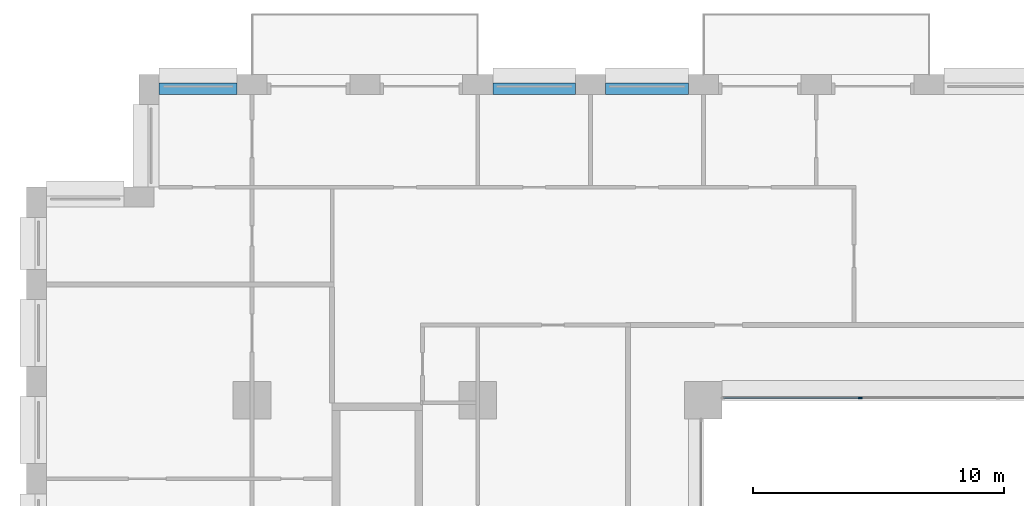
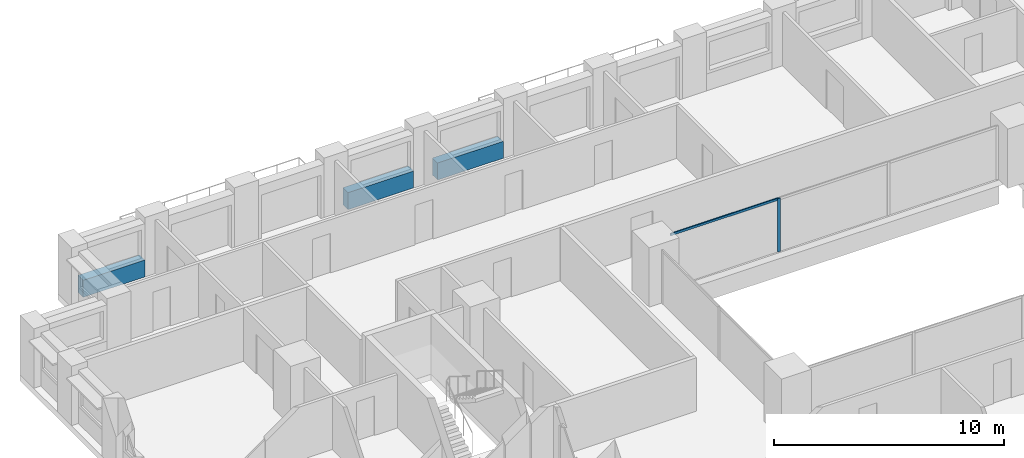
# One storey, part 6 of 20: 3 beams, 2 members, 1 element without a shape of its own.
"""IFC4 building model written with IfcOpenShell, lengths in metres."""

from ifc_helpers import new_model, si_unit, direction, frame, origin, origin_2d, place, context, subcontext, project, spatial, rectangle, extrude, material, layer, layer_set, material_profile, profile_set, type_object, element, aggregate, save


model = new_model("IFC4")

# Units and contexts
model_context = context("Model", 3, precision=1e-05, world=origin(), true_north=direction((0.0, 1.0)))
body_context = subcontext(model_context, "Body", "Model", "MODEL_VIEW")
ifc_project = project(units=[si_unit("LENGTHUNIT", "METRE"), si_unit("AREAUNIT", "SQUARE_METRE"), si_unit("VOLUMEUNIT", "CUBIC_METRE"), si_unit("PLANEANGLEUNIT", "RADIAN"), si_unit("MASSUNIT", "GRAM", prefix="KILO")], contexts=[model_context])

# Site, building, storey
site_placement = place(None, origin())
site = spatial("IfcSite", under=ifc_project, at=site_placement, CompositionType="ELEMENT")
building_placement = place(site_placement, origin())
building = spatial("IfcBuilding", under=site, at=building_placement, Name="Brigalow Station Residences", CompositionType="ELEMENT")
storey_placement = place(building_placement, frame((0.0, 0.0, 54.14990234375)))
storey = spatial("IfcBuildingStorey", under=building, at=storey_placement, Name="L15", CompositionType="ELEMENT", Elevation=54.14990234375)

# Curtain wall, members
ifc_material_1 = material(Name="Aluminium", Category="aluminium")
ifc_layer = layer(ifc_material_1, 0.14990234375)
ifc_layer_set = layer_set([ifc_layer], Name="ATRIUM FIRE-RATED GLAZING CURTAIN WALL")
curtain_wall_type = type_object("IfcCurtainWallType", Name="ATRIUM FIRE-RATED GLAZING CURTAIN WALL", PredefinedType="NOTDEFINED", material=ifc_layer_set)
curtain_wall_placement = place(storey_placement, origin())
curtain_wall = element("IfcCurtainWall", 1, at=curtain_wall_placement, inside=storey, type_object=curtain_wall_type, Name="L15/cw/atrium-N", PredefinedType="NOTDEFINED")
ifc_material_2 = material(Name="Aluminium", Category="aluminium")
ifc_material_profile_1 = material_profile(ifc_material_2, rectangle(XDim=0.06005859375, YDim=0.14990234375, at=origin_2d()), Name="ATRIUM FIRE-RATED GLAZING MULLION 60x150")
ifc_profile_set_1 = profile_set([ifc_material_profile_1], Name="Aluminium")
member_type_1 = type_object("IfcMemberType", Name="ATRIUM FIRE-RATED GLAZING MULLION 60x150", PredefinedType="MULLION", material=ifc_profile_set_1)
member_1_placement = place(storey_placement, frame((33.25, 35.60009765625, 0.0), z_axis=(0.0, 0.0, 1.0), x_axis=(0.0, -1.0, 0.0)))
member_1 = element("IfcMember", 2, at=member_1_placement, type_object=member_type_1, Name="L15/cw/atrium-N/M02", PredefinedType="MULLION", context=body_context, shape_type="SweptSolid", body=[
    extrude(rectangle(XDim=0.06005859375, YDim=0.14990234375, at=origin_2d()), origin(), (0.0, 0.0, 1.0), 2.830078125),
])
ifc_material_3 = material(Name="Aluminium", Category="aluminium")
ifc_material_profile_2 = material_profile(ifc_material_3, rectangle(XDim=0.06005859375, YDim=0.1201171875, at=origin_2d()), Name="ATRIUM FIRE-RATED GLAZING TRANSOM 60x120")
ifc_profile_set_2 = profile_set([ifc_material_profile_2], Name="Aluminium")
member_type_2 = type_object("IfcMemberType", Name="ATRIUM FIRE-RATED GLAZING TRANSOM 60x120", PredefinedType="USERDEFINED", material=ifc_profile_set_2)
member_2_placement = place(storey_placement, frame((33.219970703125, 35.60009765625, 2.800048828125), z_axis=(-1.0, 0.0, 0.0), x_axis=(0.0, -1.0, 0.0)))
member_2 = element("IfcMember", 3, at=member_2_placement, type_object=member_type_2, Name="L15/cw/atrium-N/T02-00", ObjectType="TRANSOM", PredefinedType="USERDEFINED", context=body_context, shape_type="SweptSolid", body=[
    extrude(rectangle(XDim=0.06005859375, YDim=0.1201171875, at=origin_2d()), origin(), (0.0, 0.0, 1.0), 5.409912109375),
])
aggregate(curtain_wall, [member_1, member_2])

# Beams
ifc_material_4 = material(Name="Concrete C65", Category="concrete")
ifc_material_profile_3 = material_profile(ifc_material_4, rectangle(XDim=0.449951171875, YDim=0.89990234375, at=origin_2d()), Name="RC450x900")
ifc_profile_set_3 = profile_set([ifc_material_profile_3], Name="Concrete C65")
beam_type = type_object("IfcBeamType", Name="SPANDREL BEAM 450x900 C65", PredefinedType="SPANDREL", material=ifc_profile_set_3)
for number, where, z_axis, x_axis, name in (
    (4, (26.39990234375, 47.925048828125, 0.4501953125), (-1.0, 0.0, 0.0), (0.0, -1.0, 0.0), "L15/spandrel/W-L15-35"),
    (5, (21.89990234375, 47.925048828125, 0.4501953125), (-1.0, 0.0, 0.0), (0.0, -1.0, 0.0), "L15/spandrel/W-L15-36"),
):
    element("IfcBeam", number, at=place(storey_placement, frame(where, z_axis=z_axis, x_axis=x_axis)), inside=storey, type_object=beam_type, Name=name, PredefinedType="SPANDREL", context=body_context, shape_type="SweptSolid", body=[
        extrude(rectangle(XDim=0.449951171875, YDim=0.89990234375, at=origin_2d()), origin(), (0.0, 0.0, 1.0), 3.2998046875),
    ])
beam_placement = place(storey_placement, frame((8.39990234375, 47.925048828125, 0.4501953125), z_axis=(-1.0, 0.0, 0.0), x_axis=(0.0, -1.0, 0.0)))
element("IfcBeam", 6, at=beam_placement, inside=storey, type_object=beam_type, Name="L15/spandrel/W-L15-39", PredefinedType="SPANDREL", context=body_context, shape_type="SweptSolid", body=[
    extrude(rectangle(XDim=0.449951171875, YDim=0.89990234375, at=origin_2d()), origin(), (0.0, 0.0, 1.0), 3.099853515625),
])

save(model, "model.ifc")
